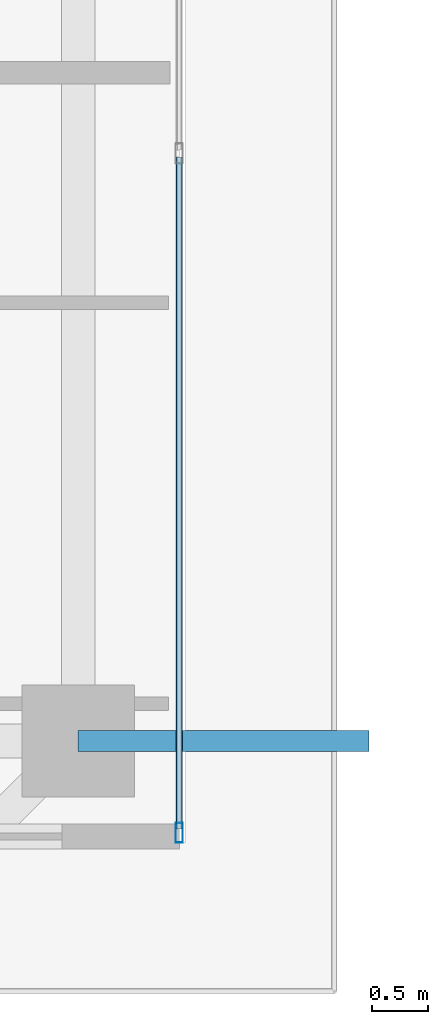
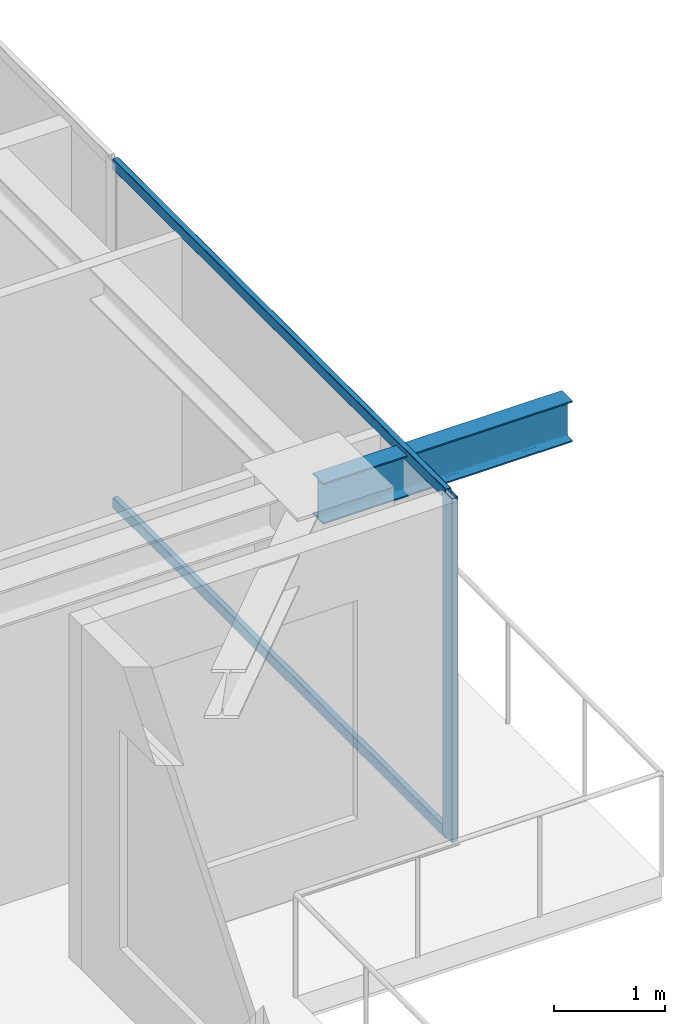
# One storey, part 12 of 37: 3 members, 1 beam, 1 element without a shape of its own.
"""IFC4 building model written with IfcOpenShell, lengths in metres."""

from ifc_helpers import new_model, si_unit, direction, frame, origin, origin_2d, place, context, subcontext, project, spatial, hollow_rectangle, i_section, extrude, source, transform, mapped, material, layer, layer_set, material_profile, profile_set, type_object, element, aggregate, save


model = new_model("IFC4")

# Units and contexts
model_context = context("Model", 3, precision=1e-05, world=origin(), true_north=direction((0.0, 1.0)))
body_context = subcontext(model_context, "Body", "Model", "MODEL_VIEW")
ifc_project = project(units=[si_unit("LENGTHUNIT", "METRE"), si_unit("AREAUNIT", "SQUARE_METRE"), si_unit("VOLUMEUNIT", "CUBIC_METRE"), si_unit("PLANEANGLEUNIT", "RADIAN"), si_unit("MASSUNIT", "GRAM", prefix="KILO")], contexts=[model_context])

# Site, building, storey
site_placement = place(None, origin())
site = spatial("IfcSite", under=ifc_project, at=site_placement, CompositionType="ELEMENT")
building_placement = place(site_placement, origin())
building = spatial("IfcBuilding", under=site, at=building_placement, Name="Serunith Strait Residences", CompositionType="ELEMENT")
storey_placement = place(building_placement, frame((0.0, 0.0, 305.60009765625)))
storey = spatial("IfcBuildingStorey", under=building, at=storey_placement, Name="L76", CompositionType="ELEMENT", Elevation=305.60009765625)

# Beam
ifc_material_1 = material(Name="Steel S355J2", Category="steel")
ifc_material_profile_1 = material_profile(ifc_material_1, i_section(OverallWidth=0.18994140625, OverallDepth=0.449951171875, WebThickness=0.009521484375, FlangeThickness=0.0146484375, FilletRadius=0.02099609375, at=origin_2d()), Name="IPE 450")
ifc_profile_set_1 = profile_set([ifc_material_profile_1], Name="Steel S355J2")
beam_type = type_object("IfcBeamType", Name="BM-IPE450", PredefinedType="JOIST", material=ifc_profile_set_1)
shared_shape_1 = source(origin(), body_context, "Body", "SweptSolid", [
    extrude(i_section(OverallWidth=0.18994140625, OverallDepth=0.449951171875, WebThickness=0.009521484375, FlangeThickness=0.0146484375, FilletRadius=0.02099609375, at=origin_2d()), origin(), (0.0, 0.0, 1.0), 2.5888671875),
])
beam_placement = place(storey_placement, frame((54.699951171875, 10.85009765625, 3.531982421875), z_axis=(1.0, 0.0, 0.0), x_axis=(0.0, 1.0, 0.0)))
element("IfcBeam", 1, at=beam_placement, inside=storey, type_object=beam_type, Name="L77 Cantilevered Balcony Rib TC-E1", PredefinedType="JOIST", context=body_context, shape_type="MappedRepresentation", body=[
    mapped(shared_shape_1, transform((0.0, 0.0, 0.0), scale=1.0)),
])

# Curtain wall, members
ifc_material_2 = material(Name="Brushed Stainless-Silver Aluminium", Category="aluminium")
ifc_layer = layer(ifc_material_2, 0.199951171875, Name="Brushed Stainless-Silver Aluminium")
ifc_layer_set = layer_set([ifc_layer], Name="Brushed Stainless-Silver Aluminium")
curtain_wall_type = type_object("IfcCurtainWallType", Name="CW-SYS5", PredefinedType="NOTDEFINED", material=ifc_layer_set)
curtain_wall_placement = place(storey_placement, origin())
curtain_wall = element("IfcCurtainWall", 2, at=curtain_wall_placement, inside=storey, type_object=curtain_wall_type, Name="L76 E Unitised Fritted Curtain Wall", PredefinedType="NOTDEFINED")
ifc_material_profile_2 = material_profile(ifc_material_2, hollow_rectangle(XDim=0.06005859375, YDim=0.1201171875, WallThickness=0.00341796875, InnerFilletRadius=0.00537109375, OuterFilletRadius=0.0087890625, at=origin_2d()), Name="ALU 120x60x3.5")
ifc_profile_set_2 = profile_set([ifc_material_profile_2], Name="Brushed Stainless-Silver Aluminium")
member_type_1 = type_object("IfcMemberType", Name="CW-SYS5-TRAN", PredefinedType="USERDEFINED", material=ifc_profile_set_2)
shared_shape_2 = source(origin(), body_context, "Body", "SweptSolid", [
    extrude(hollow_rectangle(XDim=0.06005859375, YDim=0.1201171875, WallThickness=0.00341796875, InnerFilletRadius=0.00537109375, OuterFilletRadius=0.0087890625, at=origin_2d()), origin(), (0.0, 0.0, 1.0), 5.982666015625),
])
member_1_placement = place(storey_placement, frame((55.60009765625, 10.06494140625, 0.02978515625), z_axis=(0.0, 1.0, 0.0), x_axis=(-1.0, 0.0, 0.0)))
member_1 = element("IfcMember", 3, at=member_1_placement, type_object=member_type_1, Name="CW-5 transom 1.1", ObjectType="TRANSOM", PredefinedType="USERDEFINED", context=body_context, shape_type="MappedRepresentation", body=[
    mapped(shared_shape_2, transform((0.0, 0.0, 0.0), scale=1.0)),
])
member_2_placement = place(storey_placement, frame((55.60009765625, 10.06494140625, 3.744873046875), z_axis=(0.0, 1.0, 0.0), x_axis=(-1.0, 0.0, 0.0)))
member_2 = element("IfcMember", 4, at=member_2_placement, type_object=member_type_1, Name="CW-5 transom 1.2", ObjectType="TRANSOM", PredefinedType="USERDEFINED", context=body_context, shape_type="MappedRepresentation", body=[
    mapped(shared_shape_2, transform((0.0, 0.0, 0.0), scale=1.0)),
])
ifc_material_profile_3 = material_profile(ifc_material_2, hollow_rectangle(XDim=0.06494140625, YDim=0.179931640625, WallThickness=0.00341796875, InnerFilletRadius=0.00537109375, OuterFilletRadius=0.0087890625, at=origin_2d()), Name="ALU 180x65x3.5")
ifc_profile_set_3 = profile_set([ifc_material_profile_3], Name="Brushed Stainless-Silver Aluminium")
member_type_2 = type_object("IfcMemberType", Name="CW-SYS5-MULL", PredefinedType="MULLION", material=ifc_profile_set_3)
shared_shape_3 = source(origin(), body_context, "Body", "SweptSolid", [
    extrude(hollow_rectangle(XDim=0.06494140625, YDim=0.179931640625, WallThickness=0.00341796875, InnerFilletRadius=0.00537109375, OuterFilletRadius=0.0087890625, at=origin_2d()), origin(), (0.0, 0.0, 1.0), 3.77490234375),
])
member_3_placement = place(storey_placement, frame((55.60009765625, 10.032470703125, 0.0), z_axis=(0.0, 0.0, 1.0), x_axis=(-1.0, 0.0, 0.0)))
member_3 = element("IfcMember", 5, at=member_3_placement, type_object=member_type_2, Name="CW-5 mullion 1", PredefinedType="MULLION", context=body_context, shape_type="MappedRepresentation", body=[
    mapped(shared_shape_3, transform((0.0, 0.0, 0.0), scale=1.0)),
])
aggregate(curtain_wall, [member_3, member_1, member_2])

save(model, "model.ifc")
